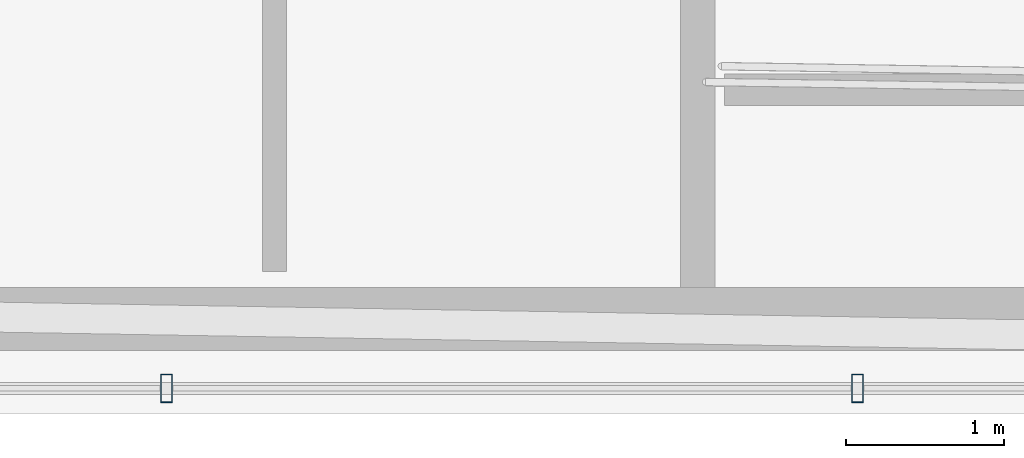
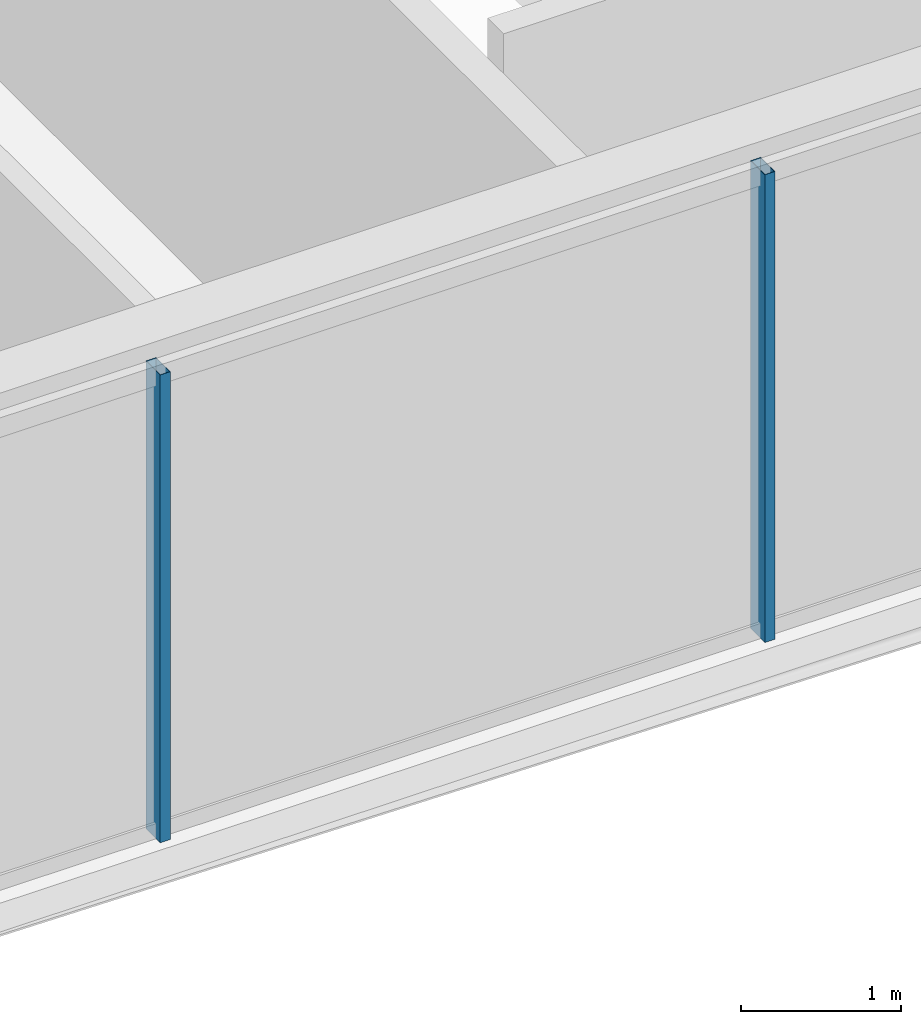
# One storey, part 6 of 29: 2 members, 1 element without a shape of its own.
"""IFC4 building model written with IfcOpenShell, lengths in metres."""

from ifc_helpers import new_model, si_unit, direction, frame, origin, origin_2d, place, context, subcontext, project, spatial, hollow_rectangle, extrude, material, layer, layer_set, material_profile, profile_set, type_object, element, aggregate, save


model = new_model("IFC4")

# Units and contexts
model_context = context("Model", 3, precision=1e-05, world=origin(), true_north=direction((0.0, 1.0)))
body_context = subcontext(model_context, "Body", "Model", "MODEL_VIEW")
ifc_project = project(units=[si_unit("LENGTHUNIT", "METRE"), si_unit("AREAUNIT", "SQUARE_METRE"), si_unit("VOLUMEUNIT", "CUBIC_METRE"), si_unit("PLANEANGLEUNIT", "RADIAN"), si_unit("MASSUNIT", "GRAM", prefix="KILO")], contexts=[model_context])

# Site, building, storey
site_placement = place(None, origin())
site = spatial("IfcSite", under=ifc_project, at=site_placement, CompositionType="ELEMENT")
building_placement = place(site_placement, origin())
building = spatial("IfcBuilding", under=site, at=building_placement, Name="Ndaravel Arena Tower", CompositionType="ELEMENT")
storey_placement = place(building_placement, frame((0.0, 0.0, 248.39990234375)))
storey = spatial("IfcBuildingStorey", under=building, at=storey_placement, Name="L60", CompositionType="ELEMENT", Elevation=248.39990234375)

# Curtain wall, members
ifc_material_1 = material(Name="Aluminium", Category="aluminium")
ifc_layer = layer(ifc_material_1, 0.179931640625)
ifc_layer_set = layer_set([ifc_layer], Name="Aluminium")
curtain_wall_type = type_object("IfcCurtainWallType", Name="CW-SYS-03", PredefinedType="NOTDEFINED", material=ifc_layer_set)
curtain_wall_placement = place(storey_placement, origin())
curtain_wall = element("IfcCurtainWall", 1, at=curtain_wall_placement, inside=storey, type_object=curtain_wall_type, Name="L60 Faceted Crystal Curtain Wall CW-L60-E01", PredefinedType="NOTDEFINED")
ifc_material_2 = material(Name="Aluminium", Category="aluminium")
ifc_material_profile = material_profile(ifc_material_2, hollow_rectangle(XDim=0.074951171875, YDim=0.179931640625, WallThickness=0.00390625, at=origin_2d()), Name="CW MULLION 75x180x4")
ifc_profile_set = profile_set([ifc_material_profile], Name="Aluminium")
member_type = type_object("IfcMemberType", Name="MEM-CW-MUL180", PredefinedType="MULLION", material=ifc_profile_set)
member_1_placement = place(storey_placement, frame((35.43603515625, 5.159912109375, 0.0), z_axis=(0.0, 0.0, 1.0), x_axis=(1.0, 0.0, 0.0)))
member_1 = element("IfcMember", 2, at=member_1_placement, type_object=member_type, Name="CW-L60-E01 Mullion 03", PredefinedType="MULLION", context=body_context, shape_type="SweptSolid", body=[
    extrude(hollow_rectangle(XDim=0.074951171875, YDim=0.179931640625, WallThickness=0.00390625, at=origin_2d()), origin(), (0.0, 0.0, 1.0), 3.580078125),
])
member_2_placement = place(storey_placement, frame((39.81201171875, 5.159912109375, 0.0), z_axis=(0.0, 0.0, 1.0), x_axis=(1.0, 0.0, 0.0)))
member_2 = element("IfcMember", 3, at=member_2_placement, type_object=member_type, Name="CW-L60-E01 Mullion 04", PredefinedType="MULLION", context=body_context, shape_type="SweptSolid", body=[
    extrude(hollow_rectangle(XDim=0.074951171875, YDim=0.179931640625, WallThickness=0.00390625, at=origin_2d()), origin(), (0.0, 0.0, 1.0), 3.580078125),
])
aggregate(curtain_wall, [member_1, member_2])

save(model, "model.ifc")
